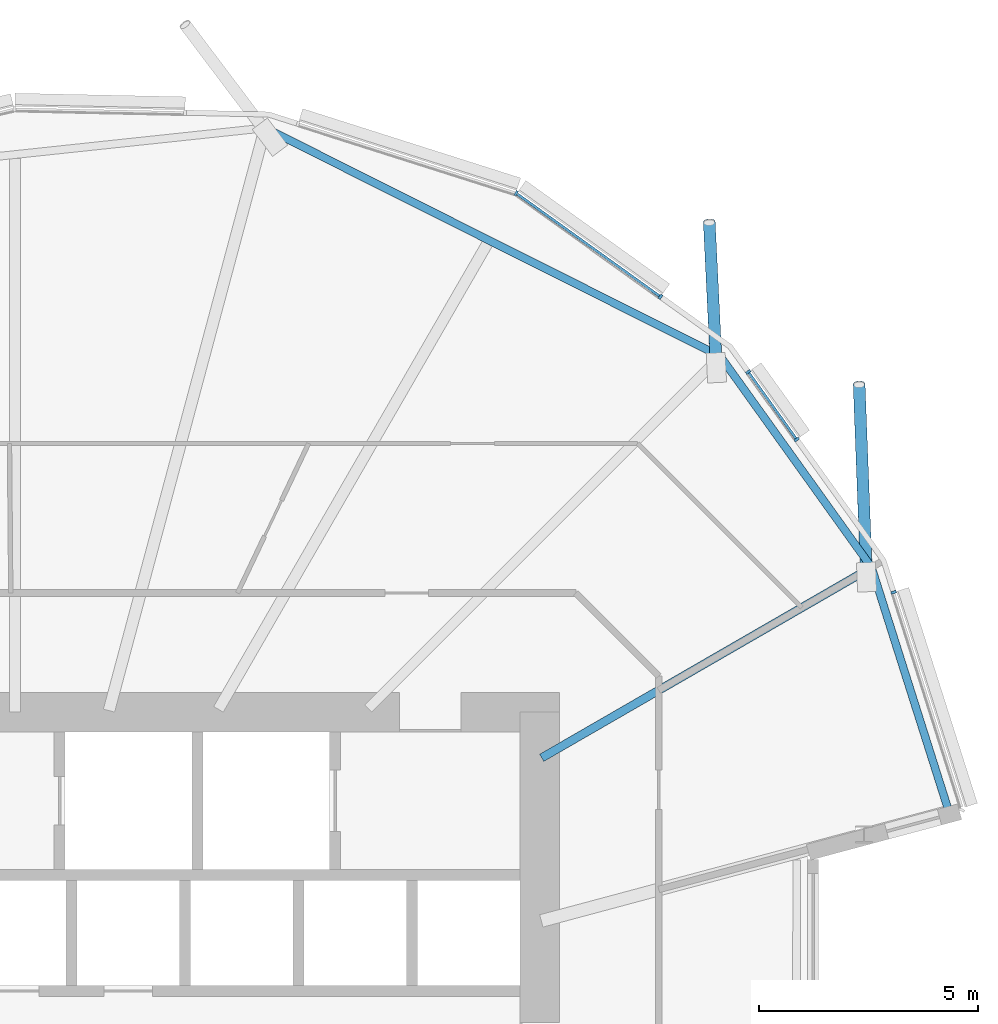
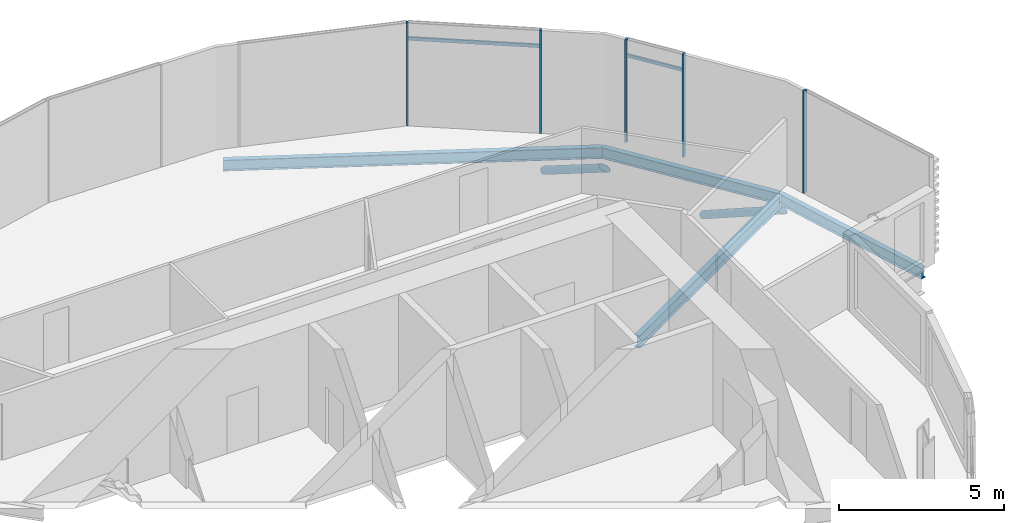
# One storey, part 19 of 37: 9 members, 4 beams, 1 element without a shape of its own.
"""IFC4 building model written with IfcOpenShell, lengths in metres."""

from ifc_helpers import new_model, si_unit, direction, frame, origin, origin_2d, place, context, subcontext, project, spatial, rectangle, hollow_circle, i_section, extrude, clip, halfspace, material, material_profile, profile_set, type_object, element, aggregate, save


model = new_model("IFC4")

# Units and contexts
model_context = context("Model", 3, precision=1e-05, world=origin(), true_north=direction((0.0, 1.0)))
body_context = subcontext(model_context, "Body", "Model", "MODEL_VIEW")
ifc_project = project(units=[si_unit("LENGTHUNIT", "METRE"), si_unit("AREAUNIT", "SQUARE_METRE"), si_unit("VOLUMEUNIT", "CUBIC_METRE"), si_unit("PLANEANGLEUNIT", "RADIAN"), si_unit("MASSUNIT", "GRAM", prefix="KILO")], contexts=[model_context])

# Site, building, storey
site_placement = place(None, origin())
site = spatial("IfcSite", under=ifc_project, at=site_placement, CompositionType="ELEMENT")
building_placement = place(site_placement, origin())
building = spatial("IfcBuilding", under=site, at=building_placement, Name="Rimbun Link Towers", CompositionType="ELEMENT")
storey_placement = place(building_placement, frame((0.0, 0.0, 60.39990234375)))
storey = spatial("IfcBuildingStorey", under=building, at=storey_placement, Name="L14", CompositionType="ELEMENT", Elevation=60.39990234375)

# Curtain wall, members
ifc_material_1 = material(Name="Aluminium 6063-T6 and low-iron glass", Category="aluminium")
curtain_wall_type = type_object("IfcCurtainWallType", Name="CW1 unitised vision wall", PredefinedType="NOTDEFINED", material=ifc_material_1)
curtain_wall_placement = place(storey_placement, origin())
curtain_wall = element("IfcCurtainWall", 1, at=curtain_wall_placement, inside=storey, type_object=curtain_wall_type, Name="CW1 L14 T2", PredefinedType="NOTDEFINED")
ifc_material_2 = material(Name="Aluminium 6063-T6", Category="aluminium")
ifc_material_profile_1 = material_profile(ifc_material_2, rectangle(XDim=0.1201171875, YDim=0.06005859375, at=origin_2d()), Name="MULLION 60X120")
ifc_profile_set_1 = profile_set([ifc_material_profile_1], Name="Aluminium 6063-T6")
member_type_1 = type_object("IfcMemberType", Name="CW1 mullion 60X120", PredefinedType="MULLION", material=ifc_profile_set_1)
member_1_placement = place(storey_placement, frame((43.21533203125, 19.865478515625, 0.0), z_axis=(0.0, 0.0, 1.0), x_axis=(0.448573554472, 0.89374591816, 0.0)))
member_1 = element("IfcMember", 2, at=member_1_placement, type_object=member_type_1, Name="CW1 mullion", PredefinedType="MULLION", context=body_context, shape_type="SweptSolid", body=[
    extrude(rectangle(XDim=0.1201171875, YDim=0.06005859375, at=origin_2d()), origin(), (0.0, 0.0, 1.0), 3.800048828125),
])
member_2_placement = place(storey_placement, frame((46.51416015625, 17.499267578125, 0.0), z_axis=(0.0, 0.0, 1.0), x_axis=(0.583004026034, 0.812469264421, 0.0)))
member_2 = element("IfcMember", 3, at=member_2_placement, type_object=member_type_1, Name="CW1 mullion", PredefinedType="MULLION", context=body_context, shape_type="SweptSolid", body=[
    extrude(rectangle(XDim=0.1201171875, YDim=0.06005859375, at=origin_2d()), origin(), (0.0, 0.0, 1.0), 3.800048828125),
])
member_3_placement = place(storey_placement, frame((51.846435546875, 10.741943359375, 0.0), z_axis=(0.0, 0.0, 1.0), x_axis=(0.952967205153, 0.303073433186, 0.0)))
member_3 = element("IfcMember", 4, at=member_3_placement, type_object=member_type_1, Name="CW1 mullion", PredefinedType="MULLION", context=body_context, shape_type="SweptSolid", body=[
    extrude(rectangle(XDim=0.1201171875, YDim=0.06005859375, at=origin_2d()), origin(), (0.0, 0.0, 1.0), 3.800048828125),
])
member_4_placement = place(storey_placement, frame((48.5205078125, 15.77978515625, 0.0), z_axis=(0.0, 0.0, 1.0), x_axis=(0.812469264421, 0.583004026034, 0.0)))
member_4 = element("IfcMember", 5, at=member_4_placement, type_object=member_type_1, Name="CW1 mullion", PredefinedType="MULLION", context=body_context, shape_type="SweptSolid", body=[
    extrude(rectangle(XDim=0.1201171875, YDim=0.06005859375, at=origin_2d()), origin(), (0.0, 0.0, 1.0), 3.800048828125),
])
member_5_placement = place(storey_placement, frame((49.62841796875, 14.23583984375, 0.0), z_axis=(0.0, 0.0, 1.0), x_axis=(0.812469264421, 0.583004026034, 0.0)))
member_5 = element("IfcMember", 6, at=member_5_placement, type_object=member_type_1, Name="CW1 mullion", PredefinedType="MULLION", context=body_context, shape_type="SweptSolid", body=[
    extrude(rectangle(XDim=0.1201171875, YDim=0.06005859375, at=origin_2d()), origin(), (0.0, 0.0, 1.0), 3.800048828125),
])
ifc_material_3 = material(Name="Aluminium 6063-T6", Category="aluminium")
ifc_material_profile_2 = material_profile(ifc_material_3, rectangle(XDim=0.06005859375, YDim=0.1201171875, at=origin_2d()), Name="TRANSOM 60X120")
ifc_profile_set_2 = profile_set([ifc_material_profile_2], Name="Aluminium 6063-T6")
member_type_2 = type_object("IfcMemberType", Name="CW1 transom 60X120", PredefinedType="USERDEFINED", material=ifc_profile_set_2)
member_6_placement = place(storey_placement, frame((43.24658203125, 19.841552734375, 3.2001953125), z_axis=(0.812479031967, -0.582990413826, 0.0), x_axis=(0.582990413826, 0.812479031967, 0.0)))
member_6 = element("IfcMember", 7, at=member_6_placement, type_object=member_type_2, Name="CW1 transom", ObjectType="TRANSOM", PredefinedType="USERDEFINED", context=body_context, shape_type="SweptSolid", body=[
    extrude(rectangle(XDim=0.06005859375, YDim=0.1201171875, at=origin_2d()), origin(), (0.0, 0.0, 1.0), 3.990478515625),
])
member_7_placement = place(storey_placement, frame((48.536376953125, 15.75439453125, 3.2001953125), z_axis=(0.582993545844, -0.812476784594, 0.0), x_axis=(0.812476784594, 0.582993545844, 0.0)))
member_7 = element("IfcMember", 8, at=member_7_placement, type_object=member_type_2, Name="CW1 transom", ObjectType="TRANSOM", PredefinedType="USERDEFINED", context=body_context, shape_type="SweptSolid", body=[
    extrude(rectangle(XDim=0.06005859375, YDim=0.1201171875, at=origin_2d()), origin(), (0.0, 0.0, 1.0), 1.840576171875),
])
aggregate(curtain_wall, [member_1, member_2, member_3, member_4, member_5, member_6, member_7])

# Members
ifc_material_4 = material(Name="Steel S355J2H", Category="steel")
ifc_material_profile_3 = material_profile(ifc_material_4, hollow_circle(Radius=0.136474609375, WallThickness=0.012451171875, at=origin_2d()), Name="CHS 273x12.5")
ifc_profile_set_3 = profile_set([ifc_material_profile_3], Name="Steel S355J2H")
member_type_3 = type_object("IfcMemberType", Name="Floor edge link CHS 273x12.5", PredefinedType="BRACE", material=ifc_profile_set_3)
member_8_placement = place(storey_placement, frame((47.78466796875, 16.03466796875, -0.879150390625), z_axis=(-0.041492180629, 0.851178708612, -0.523233413452), x_axis=(-0.998813991313, -0.048688918229, 0.0)))
element("IfcMember", 9, at=member_8_placement, inside=storey, type_object=member_type_3, Name="Floor edge link T2 L14 00", PredefinedType="BRACE", context=body_context, shape_type="Clipping", body=[
    clip(extrude(hollow_circle(Radius=0.136474609375, WallThickness=0.012451171875, at=origin_2d()), frame((0.0, 0.0, -0.4638671875)), (0.0, 0.0, 1.0), 4.1943359375), halfspace(frame((0.0, 0.0, -0.218994140625), z_axis=(0.0, 0.852189412659, -0.523233413452)), False)),
])
member_9_placement = place(storey_placement, frame((51.218994140625, 11.240478515625, -0.7294921875), z_axis=(-0.032131433872, 0.844756688398, -0.534185088115), x_axis=(-0.999277403238, -0.038008832889, 0.0)))
element("IfcMember", 10, at=member_9_placement, inside=storey, type_object=member_type_3, Name="Floor edge link T2 L14 23", PredefinedType="BRACE", context=body_context, shape_type="Clipping", body=[
    clip(extrude(hollow_circle(Radius=0.136474609375, WallThickness=0.012451171875, at=origin_2d()), frame((0.0, 0.0, -0.45068359375)), (0.0, 0.0, 1.0), 5.49609375), halfspace(frame((0.0, 0.0, -0.2138671875), z_axis=(0.0, 0.845367548251, -0.534185088115)), False)),
])

# Beams
ifc_material_5 = material(Name="Steel S355J2", Category="steel")
ifc_material_profile_4 = material_profile(ifc_material_5, i_section(OverallWidth=0.177978515625, OverallDepth=0.406494140625, WebThickness=0.0078125, FlangeThickness=0.0126953125, at=origin_2d()), Name="UB 406x178x60")
ifc_profile_set_4 = profile_set([ifc_material_profile_4], Name="Steel S355J2")
beam_type_1 = type_object("IfcBeamType", Name="UB 406x178x60", PredefinedType="BEAM", material=ifc_profile_set_4)
beam_1_placement = place(storey_placement, frame((47.883544921875, 16.135009765625, -0.363037109375), z_axis=(-0.893755943779, 0.448553578695, 0.0), x_axis=(-0.448553578695, -0.893755943779, 0.0)))
element("IfcBeam", 11, at=beam_1_placement, inside=storey, type_object=beam_type_1, Name="Edge beam T2 L14 00-02", PredefinedType="BEAM", context=body_context, shape_type="SweptSolid", body=[
    extrude(i_section(OverallWidth=0.177978515625, OverallDepth=0.406494140625, WebThickness=0.0078125, FlangeThickness=0.0126953125, at=origin_2d()), origin(), (0.0, 0.0, 1.0), 11.510498046875),
])
beam_2_placement = place(storey_placement, frame((53.109375, 5.724365234375, -0.363037109375), z_axis=(-0.301942959489, 0.95332599315, 0.0), x_axis=(-0.95332599315, -0.301942959489, 0.0)))
element("IfcBeam", 12, at=beam_2_placement, inside=storey, type_object=beam_type_1, Name="Edge beam T2 L14 22", PredefinedType="BEAM", context=body_context, shape_type="SweptSolid", body=[
    extrude(i_section(OverallWidth=0.177978515625, OverallDepth=0.406494140625, WebThickness=0.0078125, FlangeThickness=0.0126953125, at=origin_2d()), origin(), (0.0, 0.0, 1.0), 5.84423828125),
])
beam_3_placement = place(storey_placement, frame((51.331298828125, 11.32275390625, -0.363037109375), z_axis=(-0.582357664658, 0.812932685045, 0.0), x_axis=(-0.812932685045, -0.582357664658, 0.0)))
element("IfcBeam", 13, at=beam_3_placement, inside=storey, type_object=beam_type_1, Name="Edge beam T2 L14 23", PredefinedType="BEAM", context=body_context, shape_type="SweptSolid", body=[
    extrude(i_section(OverallWidth=0.177978515625, OverallDepth=0.406494140625, WebThickness=0.0078125, FlangeThickness=0.0126953125, at=origin_2d()), origin(), (0.0, 0.0, 1.0), 5.917724609375),
])
ifc_material_6 = material(Name="Steel S355J2", Category="steel")
ifc_material_profile_5 = material_profile(ifc_material_6, i_section(OverallWidth=0.18994140625, OverallDepth=0.453369140625, WebThickness=0.008544921875, FlangeThickness=0.0126953125, at=origin_2d()), Name="UB 457x191x67")
ifc_profile_set_5 = profile_set([ifc_material_profile_5], Name="Steel S355J2")
beam_type_2 = type_object("IfcBeamType", Name="UB 457x191x67", PredefinedType="BEAM", material=ifc_profile_set_5)
beam_4_placement = place(storey_placement, frame((43.79833984375, 6.9560546875, -0.38671875), z_axis=(0.86602236705, 0.500005259741, 0.0), x_axis=(-0.500005259741, 0.86602236705, 0.0)))
element("IfcBeam", 14, at=beam_4_placement, inside=storey, type_object=beam_type_2, Name="Radial beam T2 L14 23", PredefinedType="BEAM", context=body_context, shape_type="SweptSolid", body=[
    extrude(i_section(OverallWidth=0.18994140625, OverallDepth=0.453369140625, WebThickness=0.008544921875, FlangeThickness=0.0126953125, at=origin_2d()), origin(), (0.0, 0.0, 1.0), 8.61865234375),
])

save(model, "model.ifc")
